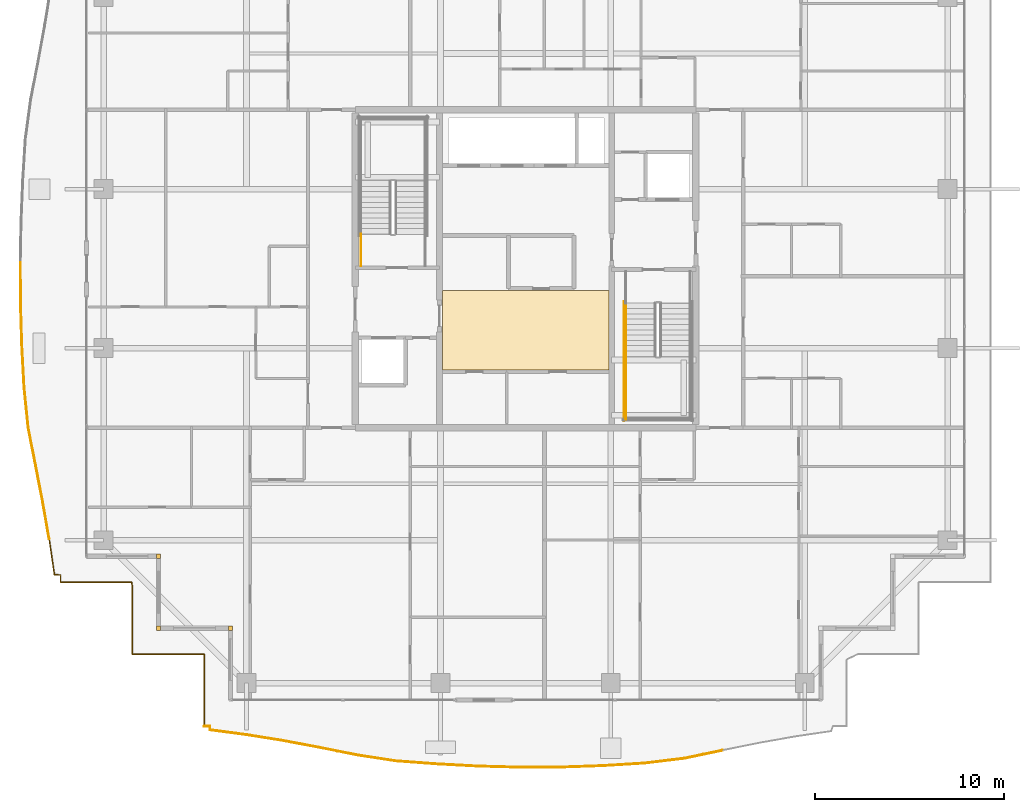
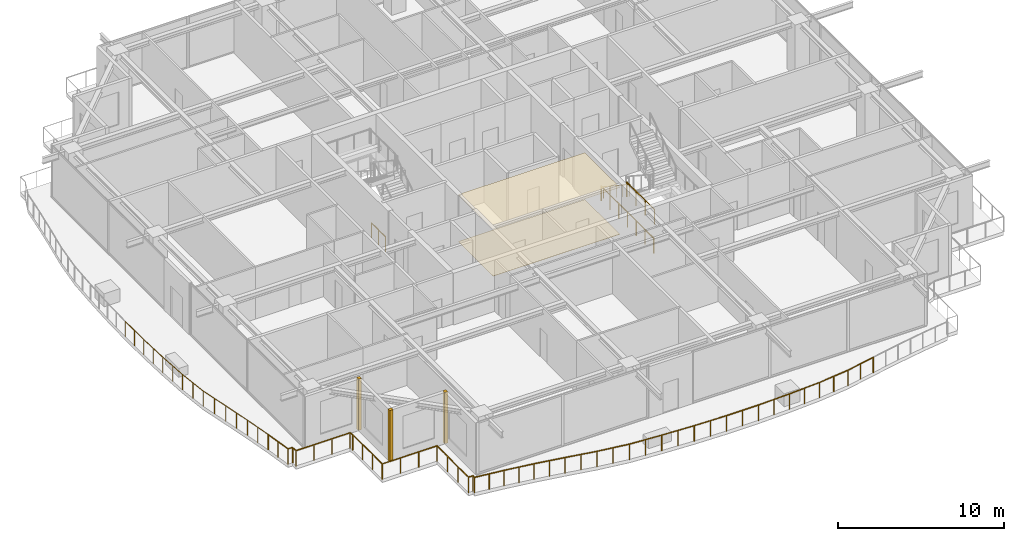
# One storey, part 34 of 38: 8 railings, 5 coverings.
"""IFC4 building model written with IfcOpenShell, lengths in metres."""

from ifc_helpers import new_model, si_unit, direction, frame, origin, origin_2d, place, context, subcontext, project, spatial, polyline, rectangle, circle, outline, extrude, source, transform, mapped, material, layer, layer_set, type_object, element, save


model = new_model("IFC4")

# Units and contexts
model_context = context("Model", 3, precision=1e-05, world=origin(), true_north=direction((0.0, 1.0)))
body_context = subcontext(model_context, "Body", "Model", "MODEL_VIEW")
ifc_project = project(units=[si_unit("LENGTHUNIT", "METRE"), si_unit("AREAUNIT", "SQUARE_METRE"), si_unit("VOLUMEUNIT", "CUBIC_METRE"), si_unit("PLANEANGLEUNIT", "RADIAN"), si_unit("MASSUNIT", "GRAM", prefix="KILO")], contexts=[model_context])

# Site, building, storey
site_placement = place(None, origin())
site = spatial("IfcSite", under=ifc_project, at=site_placement, CompositionType="ELEMENT")
building_placement = place(site_placement, origin())
building = spatial("IfcBuilding", under=site, at=building_placement, Name="Serunith Strait Residences", CompositionType="ELEMENT")
storey_placement = place(building_placement, frame((0.0, 0.0, 321.800048828125)))
storey = spatial("IfcBuildingStorey", under=building, at=storey_placement, Name="L80", CompositionType="ELEMENT", Elevation=321.800048828125)

# Coverings
ifc_material_1 = material(Name="Perforated acoustic gypsum ceiling tile")
ifc_layer_1 = layer(ifc_material_1, 0.02490234375, Name="Perforated acoustic gypsum ceiling tile")
ifc_layer_set_1 = layer_set([ifc_layer_1], Name="Perforated acoustic gypsum ceiling tile")
covering_type_1 = type_object("IfcCoveringType", Name="COV-CEIL-AC60", PredefinedType="CEILING", material=ifc_layer_set_1)
covering_1_placement = place(storey_placement, frame((0.0, 0.0, 3.43994140625)))
element("IfcCovering", 1, at=covering_1_placement, inside=storey, type_object=covering_type_1, Name="L80 Lift Lobby Acoustic Ceiling", PredefinedType="CEILING", context=body_context, shape_type="SweptSolid", body=[
    extrude(outline(polyline([(28.0, 19.85009765625), (36.800048828125, 19.85009765625), (36.800048828125, 24.050048828125), (28.0, 24.050048828125), (28.0, 19.85009765625)])), origin(), (0.0, 0.0, 1.0), 0.02490234375),
])
ifc_material_2 = material(Name="Honed limestone terrazzo flooring", Category="masonry")
ifc_layer_2 = layer(ifc_material_2, 0.02001953125, Name="Honed limestone terrazzo flooring")
ifc_layer_set_2 = layer_set([ifc_layer_2], Name="Honed limestone terrazzo flooring")
covering_type_2 = type_object("IfcCoveringType", Name="COV-FLOOR-TER40", PredefinedType="FLOORING", material=ifc_layer_set_2)
covering_2_placement = place(storey_placement, origin())
element("IfcCovering", 2, at=covering_2_placement, inside=storey, type_object=covering_type_2, Name="L80 Lift Lobby Terrazzo Flooring", PredefinedType="FLOORING", context=body_context, shape_type="SweptSolid", body=[
    extrude(outline(polyline([(28.0, 19.85009765625), (36.800048828125, 19.85009765625), (36.800048828125, 24.050048828125), (28.0, 24.050048828125), (28.0, 19.85009765625)])), origin(), (0.0, 0.0, 1.0), 0.02001953125),
])

# Railings
ifc_material_3 = material(Name="Stainless Steel & Laminated Glass Balustrade", Category="steel")
railing_type_1 = type_object("IfcRailingType", Name="RLG-BALC-1150", PredefinedType="BALUSTRADE", material=ifc_material_3)
railing_1_placement = place(storey_placement, frame((15.419921875, 1.02001953125, -0.050048828125)))
element("IfcRailing", 3, at=railing_1_placement, inside=storey, type_object=railing_type_1, Name="L80 Swirling Balcony Perimeter Balustrade 1", PredefinedType="BALUSTRADE", context=body_context, shape_type="SweptSolid", body=[
    extrude(circle(Radius=0.02392578125, at=origin_2d()), frame((0.0, 0.001953125, 1.1259765625), z_axis=(0.0, 1.0, 0.0), x_axis=(-1.0, 0.0, 0.0)), (0.0, 0.0, 1.0), 3.796142578125),
    extrude(circle(Radius=0.02392578125, at=origin_2d()), frame((-0.001953125, 3.800048828125, 1.1259765625), z_axis=(-1.0, 0.0, 0.0), x_axis=(0.0, -1.0, 0.0)), (0.0, 0.0, 1.0), 3.7958984375),
    extrude(circle(Radius=0.02392578125, at=origin_2d()), frame((-3.7998046875, 3.802001953125, 1.1259765625), z_axis=(0.0, 1.0, 0.0), x_axis=(-1.0, 0.0, 0.0)), (0.0, 0.0, 1.0), 3.55224609375),
    extrude(circle(Radius=0.02392578125, at=origin_2d()), frame((-3.800048828125, 7.358154296875, 1.1259765625), z_axis=(-0.153320676223, 0.988176487396, 0.0), x_axis=(-0.988176487396, -0.153320676223, 0.0)), (0.0, 0.0, 1.0), 0.242919921875),
    extrude(circle(Radius=0.02392578125, at=origin_2d()), frame((-3.839599609375, 7.60009765625, 1.1259765625), z_axis=(-1.0, 0.0, 0.0), x_axis=(0.0, -1.0, 0.0)), (0.0, 0.0, 1.0), 3.75830078125),
    extrude(circle(Radius=0.02392578125, at=origin_2d()), frame((-7.599853515625, 7.60205078125, 1.1259765625), z_axis=(0.0, 1.0, 0.0), x_axis=(-1.0, 0.0, 0.0)), (0.0, 0.0, 1.0), 0.38720703125),
    extrude(circle(Radius=0.02392578125, at=origin_2d()), frame((-7.601806640625, 7.9912109375, 1.1259765625), z_axis=(-0.998266456855, 0.058856445006, 0.0), x_axis=(-0.058856445006, -0.998266456855, 0.0)), (0.0, 0.0, 1.0), 0.3154296875),
    extrude(circle(Radius=0.02392578125, at=origin_2d()), frame((-7.9189453125, 8.011962890625, 1.1259765625), z_axis=(-0.145124148375, 0.989413453294, 0.0), x_axis=(-0.989413453294, -0.145124148375, 0.0)), (0.0, 0.0, 1.0), 1.91552734375),
    extrude(circle(Radius=0.02099609375, at=origin_2d()), origin(), (0.0, 0.0, 1.0), 1.099853515625),
    extrude(circle(Radius=0.02099609375, at=origin_2d()), frame((0.0, 1.2666015625, 0.0)), (0.0, 0.0, 1.0), 1.099853515625),
    extrude(circle(Radius=0.02099609375, at=origin_2d()), frame((0.0, 2.533447265625, 0.0)), (0.0, 0.0, 1.0), 1.099853515625),
    extrude(circle(Radius=0.02099609375, at=origin_2d()), frame((0.0, 3.800048828125, 0.0)), (0.0, 0.0, 1.0), 1.099853515625),
    extrude(circle(Radius=0.02099609375, at=origin_2d()), frame((-1.2666015625, 3.800048828125, 0.0)), (0.0, 0.0, 1.0), 1.099853515625),
    extrude(circle(Radius=0.02099609375, at=origin_2d()), frame((-2.533203125, 3.800048828125, 0.0)), (0.0, 0.0, 1.0), 1.099853515625),
    extrude(circle(Radius=0.02099609375, at=origin_2d()), frame((-3.7998046875, 3.800048828125, 0.0)), (0.0, 0.0, 1.0), 1.099853515625),
    extrude(circle(Radius=0.02099609375, at=origin_2d()), frame((-3.7998046875, 4.9853515625, 0.0)), (0.0, 0.0, 1.0), 1.099853515625),
    extrude(circle(Radius=0.02099609375, at=origin_2d()), frame((-3.7998046875, 6.1708984375, 0.0)), (0.0, 0.0, 1.0), 1.099853515625),
    extrude(circle(Radius=0.02099609375, at=origin_2d()), frame((-3.7998046875, 7.356201171875, 0.0)), (0.0, 0.0, 1.0), 1.099853515625),
    extrude(circle(Radius=0.02099609375, at=origin_2d()), frame((-3.837646484375, 7.60009765625, 0.0)), (0.0, 0.0, 1.0), 1.099853515625),
    extrude(circle(Radius=0.02099609375, at=origin_2d()), frame((-5.091796875, 7.60009765625, 0.0)), (0.0, 0.0, 1.0), 1.099853515625),
    extrude(circle(Radius=0.02099609375, at=origin_2d()), frame((-6.345703125, 7.60009765625, 0.0)), (0.0, 0.0, 1.0), 1.099853515625),
    extrude(circle(Radius=0.02099609375, at=origin_2d()), frame((-7.599853515625, 7.60009765625, 0.0)), (0.0, 0.0, 1.0), 1.099853515625),
    extrude(circle(Radius=0.02099609375, at=origin_2d()), frame((-7.599853515625, 7.9912109375, 0.0)), (0.0, 0.0, 1.0), 1.099853515625),
    extrude(circle(Radius=0.02099609375, at=origin_2d()), frame((-7.918701171875, 8.010009765625, 0.0)), (0.0, 0.0, 1.0), 1.099853515625),
    extrude(circle(Radius=0.02099609375, at=origin_2d()), frame((-8.05810546875, 8.95947265625, 0.0)), (0.0, 0.0, 1.0), 1.099853515625),
    extrude(circle(Radius=0.02099609375, at=origin_2d()), frame((-8.197265625, 9.9091796875, 0.0)), (0.0, 0.0, 1.0), 1.099853515625),
])
railing_2_placement = place(storey_placement, frame((7.22265625, 10.92919921875, -0.050048828125)))
element("IfcRailing", 4, at=railing_2_placement, inside=storey, type_object=railing_type_1, Name="L80 Swirling Balcony Perimeter Balustrade 2", PredefinedType="BALUSTRADE", context=body_context, shape_type="SweptSolid", body=[
    extrude(circle(Radius=0.02392578125, at=origin_2d()), frame((-0.000244140625, 0.001953125, 1.1259765625), z_axis=(-0.170859742621, 0.985295360971, 0.0), x_axis=(-0.985295360971, -0.170859742621, 0.0)), (0.0, 0.0, 1.0), 1.943603515625),
    extrude(circle(Radius=0.02392578125, at=origin_2d()), frame((-0.333251953125, 1.9208984375, 1.1259765625), z_axis=(-0.189229214173, 0.981932942977, 0.0), x_axis=(-0.981932942977, -0.189229214173, 0.0)), (0.0, 0.0, 1.0), 1.988037109375),
    extrude(circle(Radius=0.02392578125, at=origin_2d()), frame((-0.710205078125, 3.876953125, 1.1259765625), z_axis=(-0.193551624557, 0.981090092005, 0.0), x_axis=(-0.981090092005, -0.193551624557, 0.0)), (0.0, 0.0, 1.0), 2.046875),
    extrude(circle(Radius=0.02392578125, at=origin_2d()), frame((-1.10693359375, 5.88916015625, 1.1259765625), z_axis=(-0.100331502261, 0.994954064092, 0.0), x_axis=(-0.994954064092, -0.100331502261, 0.0)), (0.0, 0.0, 1.0), 2.127685546875),
    extrude(circle(Radius=0.02392578125, at=origin_2d()), frame((-1.320556640625, 8.010009765625, 1.1259765625), z_axis=(-0.053672664232, 0.998558583717, 0.0), x_axis=(-0.998558583717, -0.053672664232, 0.0)), (0.0, 0.0, 1.0), 2.170166015625),
    extrude(circle(Radius=0.02392578125, at=origin_2d()), frame((-1.437255859375, 10.18115234375, 1.1259765625), z_axis=(-0.030252086996, 0.999542300872, 0.0), x_axis=(-0.999542300872, -0.030252086996, 0.0)), (0.0, 0.0, 1.0), 2.191162109375),
    extrude(circle(Radius=0.02392578125, at=origin_2d()), frame((-1.503662109375, 12.375244140625, 1.1259765625), z_axis=(-0.005869873399, 0.999982772145, 0.0), x_axis=(-0.999982772145, -0.005869873399, 0.0)), (0.0, 0.0, 1.0), 2.200439453125),
    extrude(circle(Radius=0.02099609375, at=origin_2d()), origin(), (0.0, 0.0, 1.0), 1.099853515625),
    extrude(circle(Radius=0.02099609375, at=origin_2d()), frame((-0.16650390625, 0.95947265625, 0.0)), (0.0, 0.0, 1.0), 1.099853515625),
    extrude(circle(Radius=0.02099609375, at=origin_2d()), frame((-0.332763671875, 1.9189453125, 0.0)), (0.0, 0.0, 1.0), 1.099853515625),
    extrude(circle(Radius=0.02099609375, at=origin_2d()), frame((-0.521240234375, 2.89697265625, 0.0)), (0.0, 0.0, 1.0), 1.099853515625),
    extrude(circle(Radius=0.02099609375, at=origin_2d()), frame((-0.709716796875, 3.875, 0.0)), (0.0, 0.0, 1.0), 1.099853515625),
    extrude(circle(Radius=0.02099609375, at=origin_2d()), frame((-0.908203125, 4.881103515625, 0.0)), (0.0, 0.0, 1.0), 1.099853515625),
    extrude(circle(Radius=0.02099609375, at=origin_2d()), frame((-1.106689453125, 5.88720703125, 0.0)), (0.0, 0.0, 1.0), 1.099853515625),
    extrude(circle(Radius=0.02099609375, at=origin_2d()), frame((-1.213623046875, 6.94775390625, 0.0)), (0.0, 0.0, 1.0), 1.099853515625),
    extrude(circle(Radius=0.02099609375, at=origin_2d()), frame((-1.320556640625, 8.008056640625, 0.0)), (0.0, 0.0, 1.0), 1.099853515625),
    extrude(circle(Radius=0.02099609375, at=origin_2d()), frame((-1.37890625, 9.09375, 0.0)), (0.0, 0.0, 1.0), 1.099853515625),
    extrude(circle(Radius=0.02099609375, at=origin_2d()), frame((-1.437255859375, 10.17919921875, 0.0)), (0.0, 0.0, 1.0), 1.099853515625),
    extrude(circle(Radius=0.02099609375, at=origin_2d()), frame((-1.470458984375, 11.2763671875, 0.0)), (0.0, 0.0, 1.0), 1.099853515625),
    extrude(circle(Radius=0.02099609375, at=origin_2d()), frame((-1.503662109375, 12.373291015625, 0.0)), (0.0, 0.0, 1.0), 1.099853515625),
    extrude(circle(Radius=0.02099609375, at=origin_2d()), frame((-1.51025390625, 13.4755859375, 0.0)), (0.0, 0.0, 1.0), 1.099853515625),
    extrude(circle(Radius=0.02099609375, at=origin_2d()), frame((-1.5166015625, 14.57763671875, 0.0)), (0.0, 0.0, 1.0), 1.099853515625),
])
railing_3_placement = place(storey_placement, frame((42.801513671875, -0.254638671875, -0.050048828125)))
element("IfcRailing", 5, at=railing_3_placement, inside=storey, type_object=railing_type_1, Name="L80 Swirling Balcony Perimeter Balustrade 7", PredefinedType="BALUSTRADE", context=body_context, shape_type="SweptSolid", body=[
    extrude(circle(Radius=0.02392578125, at=origin_2d()), frame((-0.001953125, -0.00048828125, 1.1259765625), z_axis=(-0.978505470472, -0.206220862804, 0.0), x_axis=(0.206220862804, -0.978505470472, 0.0)), (0.0, 0.0, 1.0), 2.04296875),
    extrude(circle(Radius=0.02392578125, at=origin_2d()), frame((-2.0048828125, -0.42236328125, 1.1259765625), z_axis=(-0.992879550798, -0.119122615852, 0.0), x_axis=(0.119122615852, -0.992879550798, 0.0)), (0.0, 0.0, 1.0), 2.12548828125),
    extrude(circle(Radius=0.02392578125, at=origin_2d()), frame((-4.119140625, -0.676025390625, 1.1259765625), z_axis=(-0.998044725251, -0.062503811076, 0.0), x_axis=(0.062503811076, -0.998044725251, 0.0)), (0.0, 0.0, 1.0), 2.175537109375),
    extrude(circle(Radius=0.02392578125, at=origin_2d()), frame((-6.29443359375, -0.81201171875, 1.1259765625), z_axis=(-0.999413997538, -0.034229541702, 0.0), x_axis=(0.034229541702, -0.999413997538, 0.0)), (0.0, 0.0, 1.0), 2.199951171875),
    extrude(circle(Radius=0.02392578125, at=origin_2d()), frame((-8.4970703125, -0.887451171875, 1.1259765625), z_axis=(-0.999993777634, -0.003527703769, 0.0), x_axis=(0.003527703769, -0.999993777634, 0.0)), (0.0, 0.0, 1.0), 2.210693359375),
    extrude(circle(Radius=0.02392578125, at=origin_2d()), frame((-10.711669921875, -0.895263671875, 1.1259765625), z_axis=(-0.999645614437, 0.026620397025, 0.0), x_axis=(-0.026620397025, -0.999645614437, 0.0)), (0.0, 0.0, 1.0), 2.206298828125),
    extrude(circle(Radius=0.02392578125, at=origin_2d()), frame((-12.921142578125, -0.83642578125, 1.1259765625), z_axis=(-0.998594040154, 0.053008895184, 0.0), x_axis=(-0.053008895184, -0.998594040154, 0.0)), (0.0, 0.0, 1.0), 2.188232421875),
    extrude(circle(Radius=0.02099609375, at=origin_2d()), origin(), (0.0, 0.0, 1.0), 1.099853515625),
    extrude(circle(Radius=0.02099609375, at=origin_2d()), frame((-1.00146484375, -0.2109375, 0.0)), (0.0, 0.0, 1.0), 1.099853515625),
    extrude(circle(Radius=0.02099609375, at=origin_2d()), frame((-2.0029296875, -0.422119140625, 0.0)), (0.0, 0.0, 1.0), 1.099853515625),
    extrude(circle(Radius=0.02099609375, at=origin_2d()), frame((-3.06005859375, -0.548828125, 0.0)), (0.0, 0.0, 1.0), 1.099853515625),
    extrude(circle(Radius=0.02099609375, at=origin_2d()), frame((-4.1171875, -0.67578125, 0.0)), (0.0, 0.0, 1.0), 1.099853515625),
    extrude(circle(Radius=0.02099609375, at=origin_2d()), frame((-5.204833984375, -0.743896484375, 0.0)), (0.0, 0.0, 1.0), 1.099853515625),
    extrude(circle(Radius=0.02099609375, at=origin_2d()), frame((-6.29248046875, -0.81201171875, 0.0)), (0.0, 0.0, 1.0), 1.099853515625),
    extrude(circle(Radius=0.02099609375, at=origin_2d()), frame((-7.393798828125, -0.849609375, 0.0)), (0.0, 0.0, 1.0), 1.099853515625),
    extrude(circle(Radius=0.02099609375, at=origin_2d()), frame((-8.4951171875, -0.887451171875, 0.0)), (0.0, 0.0, 1.0), 1.099853515625),
    extrude(circle(Radius=0.02099609375, at=origin_2d()), frame((-9.6025390625, -0.891357421875, 0.0)), (0.0, 0.0, 1.0), 1.099853515625),
    extrude(circle(Radius=0.02099609375, at=origin_2d()), frame((-10.709716796875, -0.895263671875, 0.0)), (0.0, 0.0, 1.0), 1.099853515625),
    extrude(circle(Radius=0.02099609375, at=origin_2d()), frame((-11.814453125, -0.86572265625, 0.0)), (0.0, 0.0, 1.0), 1.099853515625),
    extrude(circle(Radius=0.02099609375, at=origin_2d()), frame((-12.919189453125, -0.83642578125, 0.0)), (0.0, 0.0, 1.0), 1.099853515625),
    extrude(circle(Radius=0.02099609375, at=origin_2d()), frame((-14.013671875, -0.7783203125, 0.0)), (0.0, 0.0, 1.0), 1.099853515625),
    extrude(circle(Radius=0.02099609375, at=origin_2d()), frame((-15.1083984375, -0.72021484375, 0.0)), (0.0, 0.0, 1.0), 1.099853515625),
])
railing_4_placement = place(storey_placement, frame((27.693115234375, -0.974853515625, -0.050048828125)))
element("IfcRailing", 6, at=railing_4_placement, inside=storey, type_object=railing_type_1, Name="L80 Swirling Balcony Perimeter Balustrade 8", PredefinedType="BALUSTRADE", context=body_context, shape_type="SweptSolid", body=[
    extrude(circle(Radius=0.02392578125, at=origin_2d()), frame((-0.001953125, 0.000244140625, 1.1259765625), z_axis=(-0.997248943934, 0.074125190199, 0.0), x_axis=(-0.074125190199, -0.997248943934, 0.0)), (0.0, 0.0, 1.0), 2.159912109375),
    extrude(circle(Radius=0.02392578125, at=origin_2d()), frame((-2.159912109375, 0.16064453125, 1.1259765625), z_axis=(-0.988391846255, 0.151926160538, 0.0), x_axis=(-0.151926160538, -0.988391846255, 0.0)), (0.0, 0.0, 1.0), 2.09619140625),
    extrude(circle(Radius=0.02392578125, at=origin_2d()), frame((-4.23583984375, 0.47998046875, 1.1259765625), z_axis=(-0.980194240813, 0.198038507054, 0.0), x_axis=(-0.198038507054, -0.980194240813, 0.0)), (0.0, 0.0, 1.0), 2.022705078125),
    extrude(circle(Radius=0.02392578125, at=origin_2d()), frame((-6.222412109375, 0.88134765625, 1.1259765625), z_axis=(-0.983044047209, 0.183369575578, 0.0), x_axis=(-0.183369575578, -0.983044047209, 0.0)), (0.0, 0.0, 1.0), 1.96923828125),
    extrude(circle(Radius=0.02392578125, at=origin_2d()), frame((-8.162109375, 1.242919921875, 1.1259765625), z_axis=(-0.987318374407, 0.158752724569, 0.0), x_axis=(-0.158752724569, -0.987318374407, 0.0)), (0.0, 0.0, 1.0), 1.93212890625),
    extrude(circle(Radius=0.02392578125, at=origin_2d()), frame((-10.07373046875, 1.55029296875, 1.1259765625), z_axis=(-0.99142606843, 0.130668859476, 0.0), x_axis=(-0.130668859476, -0.99142606843, 0.0)), (0.0, 0.0, 1.0), 1.9111328125),
    extrude(circle(Radius=0.02392578125, at=origin_2d()), frame((-11.970458984375, 1.80224609375, 1.1259765625), z_axis=(0.007528017546, 0.999971664074, 0.0), x_axis=(-0.999971664074, 0.007528017546, 0.0)), (0.0, 0.0, 1.0), 0.190673828125),
    extrude(circle(Radius=0.02392578125, at=origin_2d()), frame((-11.970947265625, 1.994873046875, 1.1259765625), z_axis=(-1.0, 0.0, 0.0), x_axis=(0.0, -1.0, 0.0)), (0.0, 0.0, 1.0), 0.30029296875),
    extrude(circle(Radius=0.02099609375, at=origin_2d()), origin(), (0.0, 0.0, 1.0), 1.099853515625),
    extrude(circle(Radius=0.02099609375, at=origin_2d()), frame((-1.0791015625, 0.080078125, 0.0)), (0.0, 0.0, 1.0), 1.099853515625),
    extrude(circle(Radius=0.02099609375, at=origin_2d()), frame((-2.157958984375, 0.160400390625, 0.0)), (0.0, 0.0, 1.0), 1.099853515625),
    extrude(circle(Radius=0.02099609375, at=origin_2d()), frame((-3.19580078125, 0.31982421875, 0.0)), (0.0, 0.0, 1.0), 1.099853515625),
    extrude(circle(Radius=0.02099609375, at=origin_2d()), frame((-4.23388671875, 0.4794921875, 0.0)), (0.0, 0.0, 1.0), 1.099853515625),
    extrude(circle(Radius=0.02099609375, at=origin_2d()), frame((-5.22705078125, 0.68017578125, 0.0)), (0.0, 0.0, 1.0), 1.099853515625),
    extrude(circle(Radius=0.02099609375, at=origin_2d()), frame((-6.220458984375, 0.880859375, 0.0)), (0.0, 0.0, 1.0), 1.099853515625),
    extrude(circle(Radius=0.02099609375, at=origin_2d()), frame((-7.1904296875, 1.061767578125, 0.0)), (0.0, 0.0, 1.0), 1.099853515625),
    extrude(circle(Radius=0.02099609375, at=origin_2d()), frame((-8.16015625, 1.24267578125, 0.0)), (0.0, 0.0, 1.0), 1.099853515625),
    extrude(circle(Radius=0.02099609375, at=origin_2d()), frame((-9.115966796875, 1.396484375, 0.0)), (0.0, 0.0, 1.0), 1.099853515625),
    extrude(circle(Radius=0.02099609375, at=origin_2d()), frame((-10.07177734375, 1.550048828125, 0.0)), (0.0, 0.0, 1.0), 1.099853515625),
    extrude(circle(Radius=0.02099609375, at=origin_2d()), frame((-11.02099609375, 1.67529296875, 0.0)), (0.0, 0.0, 1.0), 1.099853515625),
    extrude(circle(Radius=0.02099609375, at=origin_2d()), frame((-11.970458984375, 1.80029296875, 0.0)), (0.0, 0.0, 1.0), 1.099853515625),
    extrude(circle(Radius=0.02099609375, at=origin_2d()), frame((-11.968994140625, 1.994873046875, 0.0)), (0.0, 0.0, 1.0), 1.099853515625),
    extrude(circle(Radius=0.02099609375, at=origin_2d()), frame((-12.273193359375, 1.994873046875, 0.0)), (0.0, 0.0, 1.0), 1.099853515625),
])
ifc_material_4 = material(Name="Brushed stainless steel 316L", Category="steel")
railing_type_2 = type_object("IfcRailingType", Name="RLG-STAIR-GUARD", PredefinedType="BALUSTRADE", material=ifc_material_4)
railing_5_placement = place(storey_placement, frame((23.699951171875, 25.35009765625, 0.0)))
element("IfcRailing", 7, at=railing_5_placement, inside=storey, type_object=railing_type_2, Name="L80 ST-1 stair guard 9", PredefinedType="BALUSTRADE", context=body_context, shape_type="SweptSolid", body=[
    extrude(circle(Radius=0.02392578125, at=origin_2d()), frame((0.0, 0.001953125, 1.076171875), z_axis=(0.0, 1.0, 0.0), x_axis=(-1.0, 0.0, 0.0)), (0.0, 0.0, 1.0), 1.676025390625),
    extrude(circle(Radius=0.02099609375, at=origin_2d()), origin(), (0.0, 0.0, 1.0), 1.050048828125),
    extrude(circle(Radius=0.02099609375, at=origin_2d()), frame((0.0, 0.83984375, 0.0)), (0.0, 0.0, 1.0), 1.050048828125),
    extrude(circle(Radius=0.02099609375, at=origin_2d()), frame((0.0, 1.679931640625, 0.0)), (0.0, 0.0, 1.0), 1.050048828125),
])
railing_6_placement = place(storey_placement, frame((37.699951171875, 20.570068359375, 2.02490234375)))
element("IfcRailing", 8, at=railing_6_placement, inside=storey, type_object=railing_type_2, Name="L80 ST-2 stair guard 3", PredefinedType="BALUSTRADE", context=body_context, shape_type="SweptSolid", body=[
    extrude(circle(Radius=0.02392578125, at=origin_2d()), frame((0.0, -0.001953125, 1.076171875), z_axis=(0.0, -1.0, 0.0), x_axis=(1.0, 0.0, 0.0)), (0.0, 0.0, 1.0), 3.316162109375),
    extrude(circle(Radius=0.02099609375, at=origin_2d()), origin(), (0.0, 0.0, 1.0), 1.050048828125),
    extrude(circle(Radius=0.02099609375, at=origin_2d()), frame((0.0, -1.106689453125, 0.0)), (0.0, 0.0, 1.0), 1.050048828125),
    extrude(circle(Radius=0.02099609375, at=origin_2d()), frame((0.0, -2.21337890625, 0.0)), (0.0, 0.0, 1.0), 1.050048828125),
    extrude(circle(Radius=0.02099609375, at=origin_2d()), frame((0.0, -3.320068359375, 0.0)), (0.0, 0.0, 1.0), 1.050048828125),
])
railing_7_placement = place(storey_placement, frame((37.60009765625, 23.469970703125, 0.0)))
element("IfcRailing", 9, at=railing_7_placement, inside=storey, type_object=railing_type_2, Name="L80 ST-2 stair guard 10", PredefinedType="BALUSTRADE", context=body_context, shape_type="SweptSolid", body=[
    extrude(circle(Radius=0.02392578125, at=origin_2d()), frame((0.0, -0.001953125, 1.076171875), z_axis=(0.0, -1.0, 0.0), x_axis=(1.0, 0.0, 0.0)), (0.0, 0.0, 1.0), 6.316162109375),
    extrude(circle(Radius=0.02099609375, at=origin_2d()), origin(), (0.0, 0.0, 1.0), 1.050048828125),
    extrude(circle(Radius=0.02099609375, at=origin_2d()), frame((0.0, -1.05322265625, 0.0)), (0.0, 0.0, 1.0), 1.050048828125),
    extrude(circle(Radius=0.02099609375, at=origin_2d()), frame((0.0, -2.106689453125, 0.0)), (0.0, 0.0, 1.0), 1.050048828125),
    extrude(circle(Radius=0.02099609375, at=origin_2d()), frame((0.0, -3.16015625, 0.0)), (0.0, 0.0, 1.0), 1.050048828125),
    extrude(circle(Radius=0.02099609375, at=origin_2d()), frame((0.0, -4.21337890625, 0.0)), (0.0, 0.0, 1.0), 1.050048828125),
    extrude(circle(Radius=0.02099609375, at=origin_2d()), frame((0.0, -5.2666015625, 0.0)), (0.0, 0.0, 1.0), 1.050048828125),
    extrude(circle(Radius=0.02099609375, at=origin_2d()), frame((0.0, -6.320068359375, 0.0)), (0.0, 0.0, 1.0), 1.050048828125),
])
railing_type_3 = type_object("IfcRailingType", Name="RLG-STAIR-HR", PredefinedType="HANDRAIL", material=ifc_material_4)
railing_8_placement = place(storey_placement, frame((37.699951171875, 23.3701171875, 0.18408203125)))
element("IfcRailing", 10, at=railing_8_placement, inside=storey, type_object=railing_type_3, Name="L80 ST-2 stair handrail 1", PredefinedType="HANDRAIL", context=body_context, shape_type="SweptSolid", body=[
    extrude(circle(Radius=0.02392578125, at=origin_2d()), frame((0.0, -0.001708984375, 0.876953125), z_axis=(0.0, -0.83496096917, 0.550309167616), x_axis=(1.0, 0.0, 0.0)), (0.0, 0.0, 1.0), 3.684814453125),
    extrude(circle(Radius=0.02099609375, at=origin_2d()), origin(), (0.0, 0.0, 1.0), 0.849853515625),
    extrude(circle(Radius=0.02099609375, at=origin_2d()), frame((0.0, -0.77001953125, 0.507568359375)), (0.0, 0.0, 1.0), 0.849853515625),
    extrude(circle(Radius=0.02099609375, at=origin_2d()), frame((0.0, -1.5400390625, 1.01513671875)), (0.0, 0.0, 1.0), 0.849853515625),
    extrude(circle(Radius=0.02099609375, at=origin_2d()), frame((0.0, -2.31005859375, 1.5224609375)), (0.0, 0.0, 1.0), 0.849853515625),
    extrude(circle(Radius=0.02099609375, at=origin_2d()), frame((0.0, -3.080078125, 2.030029296875)), (0.0, 0.0, 1.0), 0.849853515625),
])

# Coverings
ifc_material_5 = material(Name="Pale-Champagne Anodised Aluminium", Category="aluminium")
ifc_layer_3 = layer(ifc_material_5, 0.219970703125, Name="Pale-Champagne Anodised Aluminium")
ifc_layer_set_3 = layer_set([ifc_layer_3], Name="Pale-Champagne Anodised Aluminium")
covering_type_3 = type_object("IfcCoveringType", Name="COV-CORN-TRIM", PredefinedType="CLADDING", material=ifc_layer_set_3)
shared_shape = source(origin(), body_context, "Body", "SweptSolid", [
    extrude(rectangle(XDim=0.221923828125, YDim=0.221923828125, at=origin_2d()), origin(), (0.0, 0.0, 1.0), 3.77490234375),
])
for number, where, z_axis, x_axis, name in (
    (11, (13.0, 10.0, 0.0), (0.0, 0.0, 1.0), (1.0, 0.0, 0.0), "L80 Girih Serrated Corner Trim Post 17"),
    (12, (13.0, 6.199951171875, 0.0), (0.0, 0.0, 1.0), (1.0, 0.0, 0.0), "L80 Girih Serrated Corner Trim Post 18"),
    (13, (16.800048828125, 6.199951171875, 0.0), (0.0, 0.0, 1.0), (1.0, 0.0, 0.0), "L80 Girih Serrated Corner Trim Post 19"),
):
    element("IfcCovering", number, at=place(storey_placement, frame(where, z_axis=z_axis, x_axis=x_axis)), inside=storey, type_object=covering_type_3, Name=name, PredefinedType="CLADDING", context=body_context, shape_type="MappedRepresentation", body=[
        mapped(shared_shape, transform((0.0, 0.0, 0.0), scale=1.0)),
    ])

save(model, "model.ifc")
